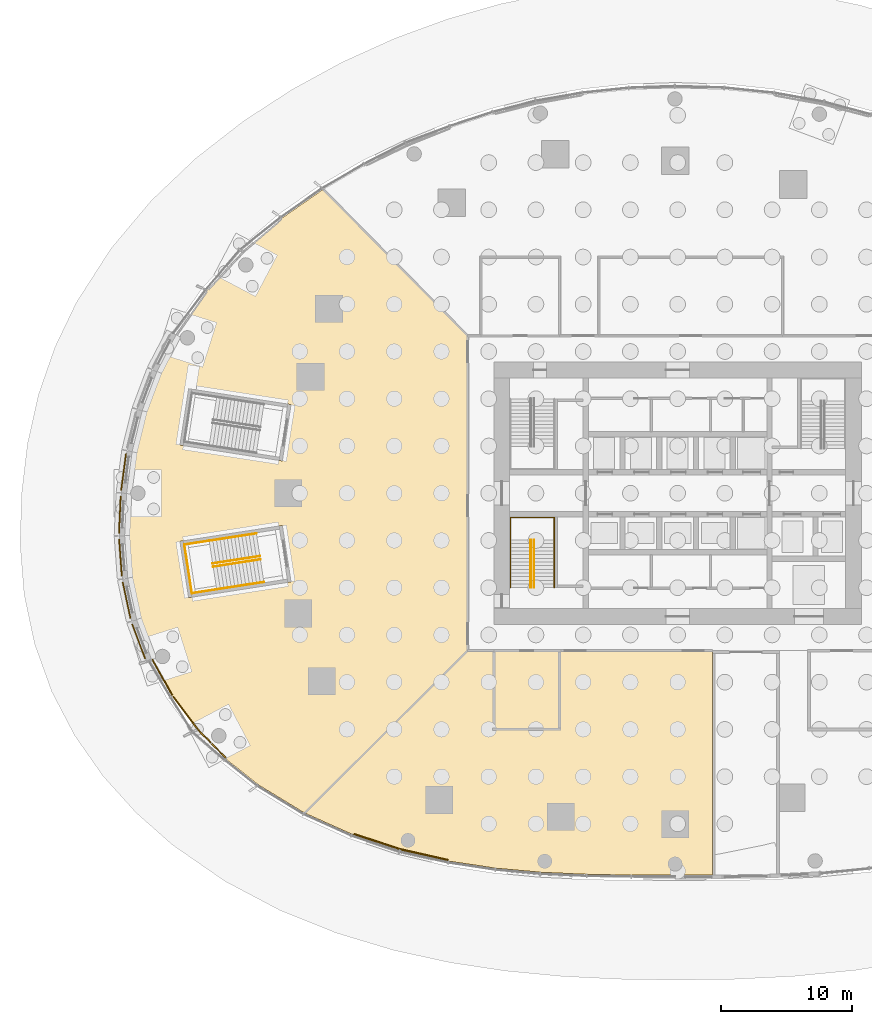
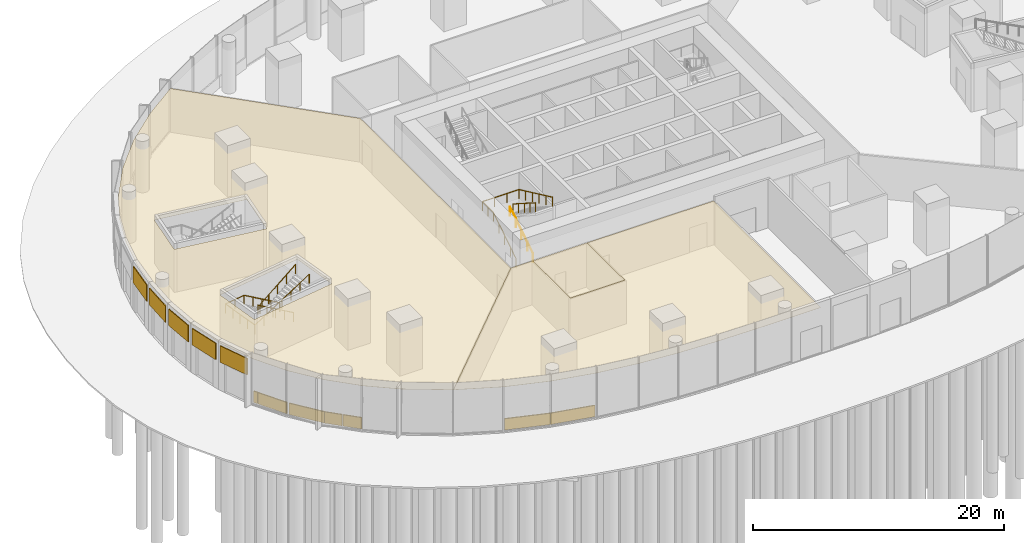
# One storey, part 24 of 29: 15 coverings, 8 railings.
"""IFC4 building model written with IfcOpenShell, lengths in metres."""

from ifc_helpers import new_model, si_unit, direction, frame, origin, origin_2d, place, context, subcontext, project, spatial, polyline, rectangle, circle, outline, extrude, material, layer, layer_set, type_object, element, save


model = new_model("IFC4")

# Units and contexts
model_context = context("Model", 3, precision=1e-05, world=origin(), true_north=direction((0.0, 1.0)))
body_context = subcontext(model_context, "Body", "Model", "MODEL_VIEW")
ifc_project = project(units=[si_unit("LENGTHUNIT", "METRE"), si_unit("AREAUNIT", "SQUARE_METRE"), si_unit("VOLUMEUNIT", "CUBIC_METRE"), si_unit("PLANEANGLEUNIT", "RADIAN"), si_unit("MASSUNIT", "GRAM", prefix="KILO")], contexts=[model_context])

# Site, building, storey
site_placement = place(None, origin())
site = spatial("IfcSite", under=ifc_project, at=site_placement, CompositionType="ELEMENT")
building_placement = place(site_placement, origin())
building = spatial("IfcBuilding", under=site, at=building_placement, Name="Ghaith Harvest Tower", CompositionType="ELEMENT")
storey_placement = place(building_placement, origin())
storey = spatial("IfcBuildingStorey", under=building, at=storey_placement, Name="L00", CompositionType="ELEMENT", Elevation=0.0)

# Coverings
ifc_material_1 = material(Name="Mineral fibre ceiling tile", Category="gypsum")
ifc_layer_1 = layer(ifc_material_1, 0.014892578125)
ifc_layer_set_1 = layer_set([ifc_layer_1], Name="CEILING C3")
covering_type_1 = type_object("IfcCoveringType", Name="CEILING C3", PredefinedType="CEILING", material=ifc_layer_set_1)
covering_1_placement = place(storey_placement, frame((0.0, 0.0, 4.199951171875)))
element("IfcCovering", 1, at=covering_1_placement, inside=storey, type_object=covering_type_1, Name="Ceiling L00-03", PredefinedType="CEILING", context=body_context, shape_type="SweptSolid", body=[
    extrude(outline(polyline([(-14.0, -18.0), (-9.0, -18.0), (-9.0, -12.0), (-14.0, -12.0), (-14.0, -18.0)])), origin(), (0.0, 0.0, 1.0), 0.01513671875),
])
covering_2_placement = place(storey_placement, frame((0.0, 0.0, 4.199951171875)))
element("IfcCovering", 2, at=covering_2_placement, inside=storey, type_object=covering_type_1, Name="Ceiling L00-S1", PredefinedType="CEILING", context=body_context, shape_type="SweptSolid", body=[
    extrude(outline(polyline([(-14.0, -18.0), (-9.0, -18.0), (-9.0, -12.0), (2.64013671875, -12.0), (2.64013671875, -29.098876953125), (-0.19921875, -29.10009765625), (-3.511474609375, -29.09765625), (-6.903564453125, -29.046142578125), (-10.43310546875, -28.88671875), (-13.8466796875, -28.579345703125), (-17.416748046875, -28.044189453125), (-21.123779296875, -27.19921875), (-24.77880859375, -26.0087890625), (-28.427978515625, -24.373291015625), (-16.0, -12.0), (-14.0, -12.0), (-14.0, -18.0)])), origin(), (0.0, 0.0, 1.0), 0.01513671875),
])
covering_3_placement = place(storey_placement, frame((0.0, 0.0, 4.199951171875)))
element("IfcCovering", 3, at=covering_3_placement, inside=storey, type_object=covering_type_1, Name="Ceiling L00-W1", PredefinedType="CEILING", context=body_context, shape_type="SweptSolid", body=[
    extrude(outline(polyline([(-16.0, 12.0), (-16.0, -12.0), (-28.427978515625, -24.373291015625), (-31.94921875, -22.230712890625), (-34.4013671875, -20.279296875), (-36.622314453125, -18.0263671875), (-38.5380859375, -15.489013671875), (-40.082763671875, -12.702880859375), (-41.22509765625, -9.660400390625), (-41.908203125, -6.48193359375), (-42.145751953125, -3.239990234375), (-42.0, 0.0), (-41.57275390625, 3.196044921875), (-40.8056640625, 6.311279296875), (-39.67919921875, 9.298095703125), (-38.212890625, 12.1103515625), (-35.857421875, 15.46728515625), (-33.12451171875, 18.423095703125), (-30.145751953125, 20.9755859375), (-27.0146484375, 23.16162109375), (-16.0, 12.0)]), holes=[polyline([(-37.935302734375, 3.66650390625), (-30.128173828125, 2.458984375), (-29.46337890625, 6.7578125), (-37.2705078125, 7.96533203125), (-37.935302734375, 3.66650390625)]), polyline([(-37.935302734375, -3.66650390625), (-37.2705078125, -7.96533203125), (-29.46337890625, -6.7578125), (-30.128173828125, -2.458984375), (-37.935302734375, -3.66650390625)])]), origin(), (0.0, 0.0, 1.0), 0.01513671875),
])

# Railings
ifc_material_2 = material(Name="Steel, black powder-coated", Category="steel")
railing_type = type_object("IfcRailingType", Name="HANDRAIL HR1", PredefinedType="HANDRAIL", material=ifc_material_2)
railing_1_placement = place(storey_placement, frame((-11.199951171875, -7.199951171875, 0.178466796875)))
element("IfcRailing", 4, at=railing_1_placement, inside=storey, type_object=railing_type, Name="Handrail HR1 stair ST3 L00 flight 1 inner", PredefinedType="HANDRAIL", context=body_context, shape_type="SweptSolid", body=[
    extrude(circle(Radius=0.02392578125, at=origin_2d()), frame((0.0, 0.0, 0.8759765625), z_axis=(0.0, 0.843111507901, 0.53773877045), x_axis=(-1.0, 0.0, 0.0)), (0.0, 0.0, 1.0), 4.317138671875),
    extrude(circle(Radius=0.02099609375, at=origin_2d()), origin(), (0.0, 0.0, 1.0), 0.851806640625),
    extrude(circle(Radius=0.02099609375, at=origin_2d()), frame((0.0, 0.909912109375, 0.580322265625)), (0.0, 0.0, 1.0), 0.851806640625),
    extrude(circle(Radius=0.02099609375, at=origin_2d()), frame((0.0, 1.81982421875, 1.16064453125)), (0.0, 0.0, 1.0), 0.851806640625),
    extrude(circle(Radius=0.02099609375, at=origin_2d()), frame((0.0, 2.72998046875, 1.7412109375)), (0.0, 0.0, 1.0), 0.851806640625),
    extrude(circle(Radius=0.02099609375, at=origin_2d()), frame((0.0, 3.639892578125, 2.321533203125)), (0.0, 0.0, 1.0), 0.851806640625),
])
railing_2_placement = place(storey_placement, frame((-10.949951171875, -3.56005859375, 2.678466796875)))
element("IfcRailing", 5, at=railing_2_placement, inside=storey, type_object=railing_type, Name="Handrail HR1 stair ST3 L00 flight 2 inner", PredefinedType="HANDRAIL", context=body_context, shape_type="SweptSolid", body=[
    extrude(circle(Radius=0.02392578125, at=origin_2d()), frame((0.0, 0.0, 0.8759765625), z_axis=(0.0, -0.843111507901, 0.53773877045), x_axis=(1.0, 0.0, 0.0)), (0.0, 0.0, 1.0), 4.317138671875),
    extrude(circle(Radius=0.02099609375, at=origin_2d()), origin(), (0.0, 0.0, 1.0), 0.851806640625),
    extrude(circle(Radius=0.02099609375, at=origin_2d()), frame((0.0, -0.909912109375, 0.580322265625)), (0.0, 0.0, 1.0), 0.851806640625),
    extrude(circle(Radius=0.02099609375, at=origin_2d()), frame((0.0, -1.81982421875, 1.16064453125)), (0.0, 0.0, 1.0), 0.851806640625),
    extrude(circle(Radius=0.02099609375, at=origin_2d()), frame((0.0, -2.72998046875, 1.7412109375)), (0.0, 0.0, 1.0), 0.851806640625),
    extrude(circle(Radius=0.02099609375, at=origin_2d()), frame((0.0, -3.639892578125, 2.321533203125)), (0.0, 0.0, 1.0), 0.851806640625),
])
railing_3_placement = place(storey_placement, frame((-12.75, -7.199951171875, 0.178466796875)))
element("IfcRailing", 6, at=railing_3_placement, inside=storey, type_object=railing_type, Name="Handrail HR1 stair ST3 L00 wall side", PredefinedType="HANDRAIL", context=body_context, shape_type="SweptSolid", body=[
    extrude(circle(Radius=0.02392578125, at=origin_2d()), frame((0.0, 0.0, 0.8759765625), z_axis=(0.0, 0.843111507901, 0.53773877045), x_axis=(-1.0, 0.0, 0.0)), (0.0, 0.0, 1.0), 4.317138671875),
    extrude(circle(Radius=0.02392578125, at=origin_2d()), frame((0.0, 3.639892578125, 3.197265625), z_axis=(0.0, 1.0, 0.0), x_axis=(-1.0, 0.0, 0.0)), (0.0, 0.0, 1.0), 1.7099609375),
    extrude(circle(Radius=0.02392578125, at=origin_2d()), frame((0.0, 5.349853515625, 3.197265625), z_axis=(1.0, 0.0, 0.0), x_axis=(0.0, 1.0, 0.0)), (0.0, 0.0, 1.0), 3.35009765625),
    extrude(circle(Radius=0.02392578125, at=origin_2d()), frame((3.35009765625, 5.349853515625, 3.197265625), z_axis=(0.0, -0.905962265858, 0.423358444868), x_axis=(1.0, 0.0, 0.0)), (0.0, 0.0, 1.0), 5.9052734375),
    extrude(circle(Radius=0.02099609375, at=origin_2d()), origin(), (0.0, 0.0, 1.0), 0.851806640625),
    extrude(circle(Radius=0.02099609375, at=origin_2d()), frame((0.0, 0.909912109375, 0.580322265625)), (0.0, 0.0, 1.0), 0.851806640625),
    extrude(circle(Radius=0.02099609375, at=origin_2d()), frame((0.0, 1.81982421875, 1.16064453125)), (0.0, 0.0, 1.0), 0.851806640625),
    extrude(circle(Radius=0.02099609375, at=origin_2d()), frame((0.0, 2.72998046875, 1.7412109375)), (0.0, 0.0, 1.0), 0.851806640625),
    extrude(circle(Radius=0.02099609375, at=origin_2d()), frame((0.0, 3.639892578125, 2.321533203125)), (0.0, 0.0, 1.0), 0.851806640625),
    extrude(circle(Radius=0.02099609375, at=origin_2d()), frame((0.0, 4.494873046875, 2.321533203125)), (0.0, 0.0, 1.0), 0.851806640625),
    extrude(circle(Radius=0.02099609375, at=origin_2d()), frame((0.0, 5.349853515625, 2.321533203125)), (0.0, 0.0, 1.0), 0.851806640625),
    extrude(circle(Radius=0.02099609375, at=origin_2d()), frame((1.11669921875, 5.349853515625, 2.321533203125)), (0.0, 0.0, 1.0), 0.851806640625),
    extrude(circle(Radius=0.02099609375, at=origin_2d()), frame((2.2333984375, 5.349853515625, 2.321533203125)), (0.0, 0.0, 1.0), 0.851806640625),
    extrude(circle(Radius=0.02099609375, at=origin_2d()), frame((3.35009765625, 5.349853515625, 2.321533203125)), (0.0, 0.0, 1.0), 0.851806640625),
    extrude(circle(Radius=0.02099609375, at=origin_2d()), frame((3.35009765625, 4.27978515625, 2.821533203125)), (0.0, 0.0, 1.0), 0.851806640625),
    extrude(circle(Radius=0.02099609375, at=origin_2d()), frame((3.35009765625, 3.2099609375, 3.321533203125)), (0.0, 0.0, 1.0), 0.851806640625),
    extrude(circle(Radius=0.02099609375, at=origin_2d()), frame((3.35009765625, 2.139892578125, 3.821533203125)), (0.0, 0.0, 1.0), 0.851806640625),
    extrude(circle(Radius=0.02099609375, at=origin_2d()), frame((3.35009765625, 1.070068359375, 4.321533203125)), (0.0, 0.0, 1.0), 0.851806640625),
    extrude(circle(Radius=0.02099609375, at=origin_2d()), frame((3.35009765625, 0.0, 4.821533203125)), (0.0, 0.0, 1.0), 0.851806640625),
])
railing_4_placement = place(storey_placement, frame((-31.8408203125, -4.79833984375, 0.178466796875)))
element("IfcRailing", 7, at=railing_4_placement, inside=storey, type_object=railing_type, Name="Handrail HR1 stair PS3 L00 flight 1 inner", PredefinedType="HANDRAIL", context=body_context, shape_type="SweptSolid", body=[
    extrude(circle(Radius=0.02392578125, at=origin_2d()), frame((0.0, 0.0, 0.8759765625), z_axis=(-0.833212825692, -0.128821692475, 0.537737258009), x_axis=(0.152793010032, -0.988258213265, 0.0)), (0.0, 0.0, 1.0), 4.317138671875),
    extrude(circle(Radius=0.02099609375, at=origin_2d()), origin(), (0.0, 0.0, 1.0), 0.851806640625),
    extrude(circle(Radius=0.02099609375, at=origin_2d()), frame((-0.8994140625, -0.13916015625, 0.580322265625)), (0.0, 0.0, 1.0), 0.851806640625),
    extrude(circle(Radius=0.02099609375, at=origin_2d()), frame((-1.798583984375, -0.278076171875, 1.16064453125)), (0.0, 0.0, 1.0), 0.851806640625),
    extrude(circle(Radius=0.02099609375, at=origin_2d()), frame((-2.69775390625, -0.4169921875, 1.7412109375)), (0.0, 0.0, 1.0), 0.851806640625),
    extrude(circle(Radius=0.02099609375, at=origin_2d()), frame((-3.59716796875, -0.55615234375, 2.321533203125)), (0.0, 0.0, 1.0), 0.851806640625),
])
railing_5_placement = place(storey_placement, frame((-35.399658203125, -5.601806640625, 2.678466796875)))
element("IfcRailing", 8, at=railing_5_placement, inside=storey, type_object=railing_type, Name="Handrail HR1 stair PS3 L00 flight 2 inner", PredefinedType="HANDRAIL", context=body_context, shape_type="SweptSolid", body=[
    extrude(circle(Radius=0.02392578125, at=origin_2d()), frame((0.0, 0.0, 0.8759765625), z_axis=(0.833206754544, 0.12887730376, 0.537733339823), x_axis=(-0.152858516466, 0.988248083198, 0.0)), (0.0, 0.0, 1.0), 4.317138671875),
    extrude(circle(Radius=0.02099609375, at=origin_2d()), origin(), (0.0, 0.0, 1.0), 0.851806640625),
    extrude(circle(Radius=0.02099609375, at=origin_2d()), frame((0.8994140625, 0.13916015625, 0.580322265625)), (0.0, 0.0, 1.0), 0.851806640625),
    extrude(circle(Radius=0.02099609375, at=origin_2d()), frame((1.798583984375, 0.2783203125, 1.16064453125)), (0.0, 0.0, 1.0), 0.851806640625),
    extrude(circle(Radius=0.02099609375, at=origin_2d()), frame((2.69775390625, 0.417236328125, 1.7412109375)), (0.0, 0.0, 1.0), 0.851806640625),
    extrude(circle(Radius=0.02099609375, at=origin_2d()), frame((3.59716796875, 0.556396484375, 2.321533203125)), (0.0, 0.0, 1.0), 0.851806640625),
])
railing_6_placement = place(storey_placement, frame((-32.108154296875, -3.06884765625, 0.178466796875)))
element("IfcRailing", 9, at=railing_6_placement, inside=storey, type_object=railing_type, Name="Handrail HR1 stair PS3 L00 wall side flight 1", PredefinedType="HANDRAIL", context=body_context, shape_type="SweptSolid", body=[
    extrude(circle(Radius=0.02392578125, at=origin_2d()), frame((0.0, 0.0, 0.8759765625), z_axis=(-0.833206754544, -0.12887730376, 0.537733339823), x_axis=(0.152858516466, -0.988248083198, 0.0)), (0.0, 0.0, 1.0), 4.317138671875),
    extrude(circle(Radius=0.02099609375, at=origin_2d()), origin(), (0.0, 0.0, 1.0), 0.851806640625),
    extrude(circle(Radius=0.02099609375, at=origin_2d()), frame((-0.8994140625, -0.13916015625, 0.580322265625)), (0.0, 0.0, 1.0), 0.851806640625),
    extrude(circle(Radius=0.02099609375, at=origin_2d()), frame((-1.798583984375, -0.2783203125, 1.16064453125)), (0.0, 0.0, 1.0), 0.851806640625),
    extrude(circle(Radius=0.02099609375, at=origin_2d()), frame((-2.69775390625, -0.417236328125, 1.7412109375)), (0.0, 0.0, 1.0), 0.851806640625),
    extrude(circle(Radius=0.02099609375, at=origin_2d()), frame((-3.59716796875, -0.556396484375, 2.321533203125)), (0.0, 0.0, 1.0), 0.851806640625),
])
railing_7_placement = place(storey_placement, frame((-35.705322265625, -3.625244140625, 2.5)))
element("IfcRailing", 10, at=railing_7_placement, inside=storey, type_object=railing_type, Name="Handrail HR1 stair PS3 L00 wall side half landing", PredefinedType="HANDRAIL", context=body_context, shape_type="SweptSolid", body=[
    extrude(circle(Radius=0.02392578125, at=origin_2d()), frame((0.0, 0.0, 0.8759765625), z_axis=(-0.988247249759, -0.152863904645, 0.0), x_axis=(0.152863904645, -0.988247249759, 0.0)), (0.0, 0.0, 1.0), 1.91015625),
    extrude(circle(Radius=0.02392578125, at=origin_2d()), frame((-1.8876953125, -0.2919921875, 0.8759765625), z_axis=(0.152869266423, -0.988246420375, 0.0), x_axis=(0.988246420375, 0.152869266423, 0.0)), (0.0, 0.0, 1.0), 3.75),
    extrude(circle(Radius=0.02099609375, at=origin_2d()), origin(), (0.0, 0.0, 1.0), 0.851806640625),
    extrude(circle(Radius=0.02099609375, at=origin_2d()), frame((-0.94384765625, -0.14599609375, 0.0)), (0.0, 0.0, 1.0), 0.851806640625),
    extrude(circle(Radius=0.02099609375, at=origin_2d()), frame((-1.8876953125, -0.2919921875, 0.0)), (0.0, 0.0, 1.0), 0.851806640625),
    extrude(circle(Radius=0.02099609375, at=origin_2d()), frame((-1.744384765625, -1.218505859375, 0.0)), (0.0, 0.0, 1.0), 0.851806640625),
    extrude(circle(Radius=0.02099609375, at=origin_2d()), frame((-1.60107421875, -2.14501953125, 0.0)), (0.0, 0.0, 1.0), 0.851806640625),
    extrude(circle(Radius=0.02099609375, at=origin_2d()), frame((-1.457763671875, -3.0712890625, 0.0)), (0.0, 0.0, 1.0), 0.851806640625),
    extrude(circle(Radius=0.02099609375, at=origin_2d()), frame((-1.314453125, -3.997802734375, 0.0)), (0.0, 0.0, 1.0), 0.851806640625),
])
railing_8_placement = place(storey_placement, frame((-37.019775390625, -7.623046875, 2.5)))
element("IfcRailing", 11, at=railing_8_placement, inside=storey, type_object=railing_type, Name="Handrail HR1 stair PS3 L00 wall side flight 2", PredefinedType="HANDRAIL", context=body_context, shape_type="SweptSolid", body=[
    extrude(circle(Radius=0.02392578125, at=origin_2d()), frame((0.0, 0.0, 0.8759765625), z_axis=(0.901059941351, 0.139334204409, 0.410703008966), x_axis=(-0.152817409709, 0.988254440562, 0.0)), (0.0, 0.0, 1.0), 6.087158203125),
    extrude(circle(Radius=0.02099609375, at=origin_2d()), origin(), (0.0, 0.0, 1.0), 0.851806640625),
    extrude(circle(Radius=0.02099609375, at=origin_2d()), frame((0.9140625, 0.141357421875, 0.416748046875)), (0.0, 0.0, 1.0), 0.851806640625),
    extrude(circle(Radius=0.02099609375, at=origin_2d()), frame((1.828369140625, 0.28271484375, 0.833251953125)), (0.0, 0.0, 1.0), 0.851806640625),
    extrude(circle(Radius=0.02099609375, at=origin_2d()), frame((2.742431640625, 0.424072265625, 1.25)), (0.0, 0.0, 1.0), 0.851806640625),
    extrude(circle(Radius=0.02099609375, at=origin_2d()), frame((3.656494140625, 0.5654296875, 1.666748046875)), (0.0, 0.0, 1.0), 0.851806640625),
    extrude(circle(Radius=0.02099609375, at=origin_2d()), frame((4.57080078125, 0.706787109375, 2.083251953125)), (0.0, 0.0, 1.0), 0.851806640625),
    extrude(circle(Radius=0.02099609375, at=origin_2d()), frame((5.48486328125, 0.84814453125, 2.5)), (0.0, 0.0, 1.0), 0.851806640625),
])

# Coverings
ifc_material_3 = material(Name="Glassfibre-reinforced concrete relief panel", Category="concrete")
ifc_layer_2 = layer(ifc_material_3, 0.080078125)
ifc_layer_set_2 = layer_set([ifc_layer_2], Name="RELIEF PANEL 2800x1600")
covering_type_2 = type_object("IfcCoveringType", Name="RELIEF PANEL 2800x1600", PredefinedType="CLADDING", material=ifc_layer_set_2)
for number, where, z_axis, x_axis, name in (
    (12, (-42.225830078125, 1.614990234375, 2.800048828125), (0.0, 0.0, 1.0), (-0.132090960227, -0.99123759928, 0.0), "Relief panel 10.4"),
    (13, (-42.512451171875, -1.636962890625, 2.800048828125), (0.0, 0.0, 1.0), (-0.044521610366, -0.999008421491, 0.0), "Relief panel 11.1"),
    (14, (-42.4638671875, -4.91162109375, 2.800048828125), (0.0, 0.0, 1.0), (0.073268647173, -0.997312240646, 0.0), "Relief panel 11.2"),
    (15, (-41.998291015625, -8.155029296875, 2.800048828125), (0.0, 0.0, 1.0), (0.210017671662, -0.97769759005, 0.0), "Relief panel 11.3"),
    (16, (-41.077880859375, -11.29833984375, 2.800048828125), (0.0, 0.0, 1.0), (0.351107707556, -0.93633507768, 0.0), "Relief panel 11.4"),
):
    element("IfcCovering", number, at=place(storey_placement, frame(where, z_axis=z_axis, x_axis=x_axis)), inside=storey, type_object=covering_type_2, Name=name, PredefinedType="CLADDING", context=body_context, shape_type="SweptSolid", body=[
        extrude(rectangle(XDim=2.800048828125, YDim=0.080078125, at=origin_2d()), origin(), (0.0, 0.0, 1.0), 1.60009765625),
    ])
ifc_material_4 = material(Name="Insulated aluminium spandrel panel on steel framing", Category="steel")
ifc_layer_3 = layer(ifc_material_4, 0.10009765625)
ifc_layer_set_3 = layer_set([ifc_layer_3], Name="SLAB EDGE UPSTAND 1100x100")
covering_type_3 = type_object("IfcCoveringType", Name="SLAB EDGE UPSTAND 1100x100", PredefinedType="CLADDING", material=ifc_layer_set_3)
covering_4_placement = place(storey_placement, frame((-39.94921875, -12.84033203125, 0.0), z_axis=(0.0, 0.0, 1.0), x_axis=(0.484856289206, -0.874593836485, 0.0)))
element("IfcCovering", 17, at=covering_4_placement, inside=storey, type_object=covering_type_3, Name="Slab edge upstand 1 bay 12 L00", PredefinedType="CLADDING", context=body_context, shape_type="SweptSolid", body=[
    extrude(rectangle(XDim=0.36962890625, YDim=0.10009765625, at=origin_2d()), origin(), (0.0, 0.0, 1.0), 1.10009765625),
])
covering_5_placement = place(storey_placement, frame((-39.19482421875, -14.201416015625, 0.0), z_axis=(0.0, 0.0, 1.0), x_axis=(0.484856289206, -0.874593836485, 0.0)))
element("IfcCovering", 18, at=covering_5_placement, inside=storey, type_object=covering_type_3, Name="Slab edge upstand 1 bay 12 L00", PredefinedType="CLADDING", context=body_context, shape_type="SweptSolid", body=[
    extrude(rectangle(XDim=2.689208984375, YDim=0.10009765625, at=origin_2d()), origin(), (0.0, 0.0, 1.0), 1.10009765625),
])
covering_6_placement = place(storey_placement, frame((-37.51025390625, -16.767333984375, 0.0), z_axis=(0.0, 0.0, 1.0), x_axis=(0.602577245128, -0.798060563901, 0.0)))
element("IfcCovering", 19, at=covering_6_placement, inside=storey, type_object=covering_type_3, Name="Slab edge upstand 2 bay 12 L00", PredefinedType="CLADDING", context=body_context, shape_type="SweptSolid", body=[
    extrude(rectangle(XDim=3.079345703125, YDim=0.10009765625, at=origin_2d()), origin(), (0.0, 0.0, 1.0), 1.10009765625),
])
covering_7_placement = place(storey_placement, frame((-36.07861328125, -18.506591796875, 0.0), z_axis=(0.0, 0.0, 1.0), x_axis=(0.702023932674, -0.712153352834, 0.0)))
element("IfcCovering", 20, at=covering_7_placement, inside=storey, type_object=covering_type_3, Name="Slab edge upstand 3 bay 12 L00", PredefinedType="CLADDING", context=body_context, shape_type="SweptSolid", body=[
    extrude(rectangle(XDim=1.447509765625, YDim=0.10009765625, at=origin_2d()), origin(), (0.0, 0.0, 1.0), 1.10009765625),
])
covering_8_placement = place(storey_placement, frame((-34.9736328125, -19.62744140625, 0.0), z_axis=(0.0, 0.0, 1.0), x_axis=(0.702023932674, -0.712153352834, 0.0)))
element("IfcCovering", 21, at=covering_8_placement, inside=storey, type_object=covering_type_3, Name="Slab edge upstand 3 bay 12 L00", PredefinedType="CLADDING", context=body_context, shape_type="SweptSolid", body=[
    extrude(rectangle(XDim=1.53173828125, YDim=0.10009765625, at=origin_2d()), origin(), (0.0, 0.0, 1.0), 1.10009765625),
])
covering_9_placement = place(storey_placement, frame((-22.88818359375, -26.572021484375, 0.0), z_axis=(0.0, 0.0, 1.0), x_axis=(0.95084312878, -0.309672963709, 0.0)))
element("IfcCovering", 22, at=covering_9_placement, inside=storey, type_object=covering_type_3, Name="Slab edge upstand 3 bay 13 L00", PredefinedType="CLADDING", context=body_context, shape_type="SweptSolid", body=[
    extrude(rectangle(XDim=3.743896484375, YDim=0.10009765625, at=origin_2d()), origin(), (0.0, 0.0, 1.0), 1.10009765625),
])
covering_10_placement = place(storey_placement, frame((-19.307861328125, -27.561767578125, 0.0), z_axis=(0.0, 0.0, 1.0), x_axis=(0.974987660425, -0.22225899761, 0.0)))
element("IfcCovering", 23, at=covering_10_placement, inside=storey, type_object=covering_type_3, Name="Slab edge upstand 1 bay 14 L00", PredefinedType="CLADDING", context=body_context, shape_type="SweptSolid", body=[
    extrude(rectangle(XDim=3.7021484375, YDim=0.10009765625, at=origin_2d()), origin(), (0.0, 0.0, 1.0), 1.10009765625),
])

save(model, "model.ifc")
